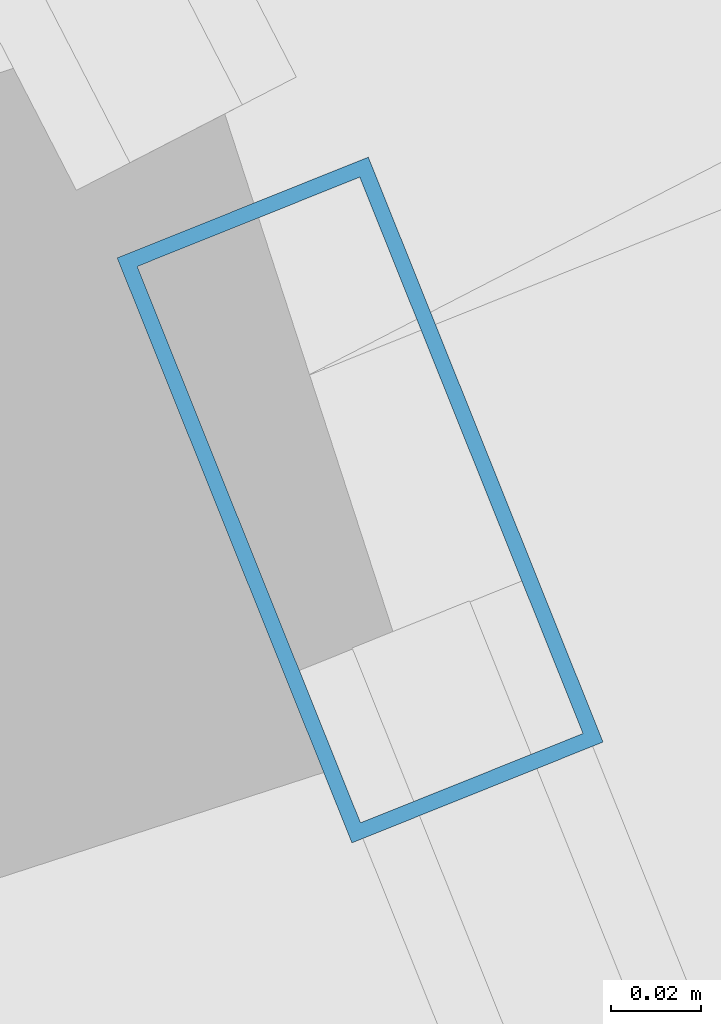
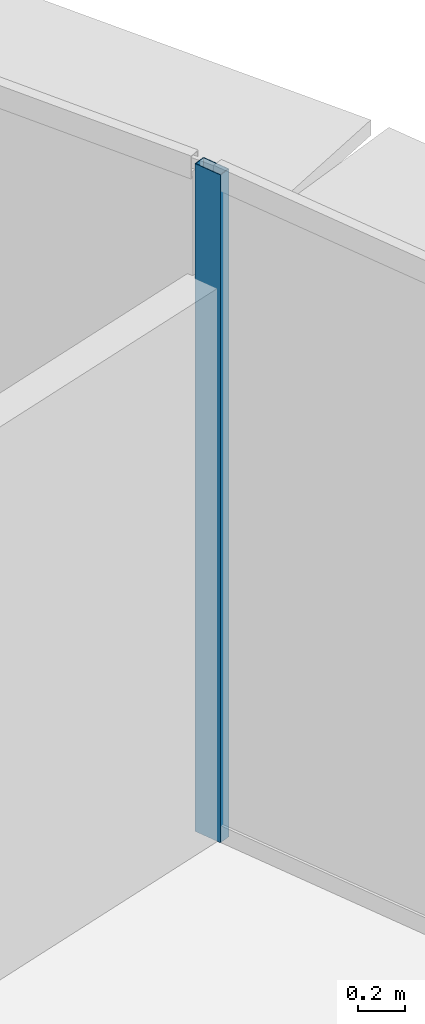
# One storey, part 16 of 30: 1 member, 1 element without a shape of its own.
"""IFC4 building model written with IfcOpenShell, lengths in metres."""

import ifcopenshell
import ifcopenshell.guid

model = None  # the IFC model being written
_history = None  # IfcOwnerHistory: only IFC2X3 demands one
_inside = {}  # id of a spatial element -> (the spatial element, [elements in it])
_under = {}  # id of a project, library or spatial element -> (it, [spatial elements below it])
_declared = {}  # id of a project -> (the project, [libraries it declares])
_typed = {}  # id of a type object -> (the type object, [elements of that type])
_made_of = {}  # id of a material, layer set ... -> (it, [elements and type objects made of it])


def new_model(schema):
    """Start an empty IFC model of exactly this schema.

    Asked for "IFC4X3", IfcOpenShell would pick the latest addendum, in which some entities
    have other attributes; the version numbers below select the first issue.
    IFC2X3 requires an IfcOwnerHistory on every rooted entity: one is made here for all.
    """
    global model, _history
    if schema == "IFC4X3":
        model = ifcopenshell.file(schema_version=(4, 3, 0, 0))
    else:
        model = ifcopenshell.file(schema=schema)
    _inside.clear()
    _under.clear()
    _declared.clear()
    _typed.clear()
    _made_of.clear()
    _history = None
    if model.schema == "IFC2X3":
        org = make("IfcOrganization", Name="unknown")
        user = make(
            "IfcPersonAndOrganization",
            ThePerson=make("IfcPerson", FamilyName="unknown"),
            TheOrganization=org,
        )
        app = make(
            "IfcApplication",
            ApplicationDeveloper=org,
            Version="unknown",
            ApplicationFullName="unknown",
            ApplicationIdentifier="unknown",
        )
        _history = make(
            "IfcOwnerHistory",
            OwningUser=user,
            OwningApplication=app,
            ChangeAction="ADDED",
            CreationDate=0,
        )
    return model


def make(cls, **values):
    """One entity of the class cls with the attributes given. An attribute that is None is left unset."""
    return model.create_entity(
        cls, **{name: value for name, value in values.items() if value is not None}
    )


def rooted(cls, **values):
    """An entity with a GlobalId (a new one), such as an element, a storey or a relation."""
    return make(cls, GlobalId=ifcopenshell.guid.new(), OwnerHistory=_history, **values)


def si_unit(unit_type, name, prefix=None):
    """IfcSIUnit, for example si_unit("LENGTHUNIT", "METRE", prefix="MILLI")."""
    return make("IfcSIUnit", UnitType=unit_type, Prefix=prefix, Name=name)


def assignment(units):
    """IfcUnitAssignment: the units of a project."""
    return None if units is None else make("IfcUnitAssignment", Units=units)


def point(xyz):
    """IfcCartesianPoint."""
    return None if xyz is None else make("IfcCartesianPoint", Coordinates=xyz)


def direction(xyz):
    """IfcDirection."""
    return None if xyz is None else make("IfcDirection", DirectionRatios=xyz)


def frame(location, z_axis=None, x_axis=None):
    """IfcAxis2Placement3D, a coordinate frame: its origin and axes. An axis left out is left unset."""
    return make(
        "IfcAxis2Placement3D",
        Location=point(location),
        Axis=direction(z_axis),
        RefDirection=direction(x_axis),
    )


def frame_2d(location, x_axis=None):
    """IfcAxis2Placement2D, a coordinate frame in the plane: its origin and x axis."""
    return make(
        "IfcAxis2Placement2D", Location=point(location), RefDirection=direction(x_axis)
    )


def origin():
    """The frame at (0, 0, 0) with its axes left unset."""
    return frame((0.0, 0.0, 0.0))


def origin_2d():
    """The frame at (0, 0) in the plane with its x axis left unset."""
    return frame_2d((0.0, 0.0))


def place(relative_to, where):
    """IfcLocalPlacement: puts the frame where relative to a parent placement (None: the world)."""
    return make(
        "IfcLocalPlacement", PlacementRelTo=relative_to, RelativePlacement=where
    )


def context(
    kind, dimensions, precision=None, world=None, true_north=None, identifier=None
):
    """IfcGeometricRepresentationContext, for example the 3D "Model" context."""
    return make(
        "IfcGeometricRepresentationContext",
        ContextIdentifier=identifier,
        ContextType=kind,
        CoordinateSpaceDimension=dimensions,
        Precision=precision,
        WorldCoordinateSystem=world,
        TrueNorth=true_north,
    )


def subcontext(parent, identifier, kind, view, scale=None):
    """IfcGeometricRepresentationSubContext, for example "Body" below "Model"."""
    return make(
        "IfcGeometricRepresentationSubContext",
        ContextIdentifier=identifier,
        ContextType=kind,
        ParentContext=parent,
        TargetScale=scale,
        TargetView=view,
    )


def project(units=None, contexts=None):
    """IfcProject with its units and contexts."""
    return rooted(
        "IfcProject",
        Name="project",
        RepresentationContexts=contexts,
        UnitsInContext=assignment(units),
    )


def spatial(cls, under=None, at=None, **own):
    """A site, building, storey or space (cls), placed at a placement, below another one or the project."""
    s = rooted(cls, ObjectPlacement=at, **own)
    if under is not None:
        _under.setdefault(under.id(), (under, []))[1].append(s)
    return s


def profile(cls, at=None, kind="AREA", **sizes):
    """A parametric profile (cls). Its sizes go by their IFC names, for example OverallWidth=200.0."""
    return make(cls, ProfileType=kind, Position=at, **sizes)


def hollow_rectangle(**sizes):
    """IfcRectangleHollowProfileDef."""
    return profile("IfcRectangleHollowProfileDef", **sizes)


def extrude(swept, where, along, depth):
    """IfcExtrudedAreaSolid: the profile swept, set in the frame where, extruded along a direction by depth."""
    return make(
        "IfcExtrudedAreaSolid",
        SweptArea=swept,
        Position=where,
        ExtrudedDirection=direction(along),
        Depth=depth,
    )


def shape(context_of_items, identifier, shape_type, items):
    """IfcShapeRepresentation: the items that make up one representation, for example the "Body"."""
    return make(
        "IfcShapeRepresentation",
        ContextOfItems=context_of_items,
        RepresentationIdentifier=identifier,
        RepresentationType=shape_type,
        Items=items,
    )


def source(mapping_origin, context_of_items, identifier, shape_type, items):
    """IfcRepresentationMap: a shape defined once, which mapped items show again and again."""
    return make(
        "IfcRepresentationMap",
        MappingOrigin=mapping_origin,
        MappedRepresentation=shape(context_of_items, identifier, shape_type, items),
    )


def transform(
    local_origin,
    x_axis=None,
    y_axis=None,
    z_axis=None,
    scale=None,
    scale2=None,
    scale3=None,
    uniform=True,
):
    """IfcCartesianTransformationOperator3D, or its non-uniform kind. x_axis, y_axis, z_axis: its Axis1, 2, 3."""
    if uniform:
        return make(
            "IfcCartesianTransformationOperator3D",
            Axis1=direction(x_axis),
            Axis2=direction(y_axis),
            LocalOrigin=point(local_origin),
            Scale=scale,
            Axis3=direction(z_axis),
        )
    return make(
        "IfcCartesianTransformationOperator3DnonUniform",
        Axis1=direction(x_axis),
        Axis2=direction(y_axis),
        LocalOrigin=point(local_origin),
        Scale=scale,
        Axis3=direction(z_axis),
        Scale2=scale2,
        Scale3=scale3,
    )


def mapped(mapping_source, mapping_target):
    """IfcMappedItem: shows the shape of a source again, moved by a transform."""
    return make(
        "IfcMappedItem", MappingSource=mapping_source, MappingTarget=mapping_target
    )


def material(Name=None, Category=None):
    """IfcMaterial."""
    return make("IfcMaterial", Name=Name, Category=Category)


def layer(
    of_material, thickness, ventilated=None, Name=None, Category=None, Priority=None
):
    """IfcMaterialLayer: one layer of a wall or slab, of a material (None: an air gap)."""
    return make(
        "IfcMaterialLayer",
        Material=of_material,
        LayerThickness=thickness,
        IsVentilated=ventilated,
        Name=Name,
        Category=Category,
        Priority=Priority,
    )


def layer_set(layers, Name=None):
    """IfcMaterialLayerSet."""
    return make("IfcMaterialLayerSet", MaterialLayers=layers, LayerSetName=Name)


def material_profile(
    of_material, cross_section, Name=None, Category=None, Priority=None
):
    """IfcMaterialProfile: a cross section and its material."""
    return make(
        "IfcMaterialProfile",
        Name=Name,
        Material=of_material,
        Profile=cross_section,
        Priority=Priority,
        Category=Category,
    )


def profile_set(profiles, Name=None, composite=None):
    """IfcMaterialProfileSet."""
    return make(
        "IfcMaterialProfileSet",
        Name=Name,
        MaterialProfiles=profiles,
        CompositeProfile=composite,
    )


def made_of(thing, what):
    """Note that an element or type object is made of a material, layer set ...; save() writes the relation."""
    if what is not None:
        _made_of.setdefault(what.id(), (what, []))[1].append(thing)
    return thing


def type_object(cls, material=None, **own):
    """A type object (cls), such as IfcWallType, which elements share."""
    return made_of(rooted(cls, **own), material)


def element(
    cls,
    number,
    at=None,
    inside=None,
    cuts=None,
    type_object=None,
    material=None,
    context=None,
    identifier="Body",
    shape_type=None,
    held_by="IfcProductDefinitionShape",
    body=None,
    shapes=None,
    **own,
):
    """One element of the class cls, such as IfcWall. Its Tag is "e" and its number.

    at: its placement. inside: the storey or other place that contains it. cuts: it is an
    opening in that element (IfcRelVoidsElement). A single representation is given by context,
    identifier, shape_type and body (its items); several are given by shapes. held_by: the class
    of the entity that holds the representations. save() writes the other relations.
    """
    e = rooted(cls, Tag="e%d" % number, ObjectPlacement=at, **own)
    if body is not None:
        shapes = [shape(context, identifier, shape_type, body)]
    if shapes is not None:
        e.Representation = make(held_by, Representations=shapes)
    if inside is not None:
        _inside.setdefault(inside.id(), (inside, []))[1].append(e)
    if cuts is not None:
        rooted(
            "IfcRelVoidsElement", RelatingBuildingElement=cuts, RelatedOpeningElement=e
        )
    if type_object is not None:
        _typed.setdefault(type_object.id(), (type_object, []))[1].append(e)
    return made_of(e, material)


def aggregate(whole, parts):
    """IfcRelAggregates: a whole, such as a stair, and the parts it consists of."""
    return rooted("IfcRelAggregates", RelatingObject=whole, RelatedObjects=parts)


def save(model, path):
    """Write the relations noted so far, then the file.

    IfcRelAggregates (storeys below a building ...), IfcRelContainedInSpatialStructure (elements
    in a storey), IfcRelDefinesByType, IfcRelAssociatesMaterial and IfcRelDeclares: one each for
    every whole, place, type object, material and project.
    """
    for whole, parts in _under.values():
        aggregate(whole, parts)
    for where, things in _inside.values():
        rooted(
            "IfcRelContainedInSpatialStructure",
            RelatedElements=things,
            RelatingStructure=where,
        )
    for kind, things in _typed.values():
        rooted("IfcRelDefinesByType", RelatedObjects=things, RelatingType=kind)
    for what, things in _made_of.values():
        rooted("IfcRelAssociatesMaterial", RelatedObjects=things, RelatingMaterial=what)
    for by, libraries in _declared.values():
        rooted("IfcRelDeclares", RelatingContext=by, RelatedDefinitions=libraries)
    model.write(path)


model = new_model("IFC4")

# Units and contexts
model_context = context("Model", 3, precision=1e-05, world=origin(), true_north=direction((0.0, 1.0)))
body_context = subcontext(model_context, "Body", "Model", "MODEL_VIEW")
ifc_project = project(units=[si_unit("LENGTHUNIT", "METRE"), si_unit("AREAUNIT", "SQUARE_METRE"), si_unit("VOLUMEUNIT", "CUBIC_METRE"), si_unit("PLANEANGLEUNIT", "RADIAN"), si_unit("MASSUNIT", "GRAM", prefix="KILO"), si_unit("THERMODYNAMICTEMPERATUREUNIT", "KELVIN"), si_unit("POWERUNIT", "WATT")], contexts=[model_context])

# Site, building, storey
site_placement = place(None, origin())
site = spatial("IfcSite", under=ifc_project, at=site_placement, CompositionType="ELEMENT")
building_placement = place(site_placement, origin())
building = spatial("IfcBuilding", under=site, at=building_placement, Name="Yunzhuo Pagoda Commons", CompositionType="ELEMENT")
storey_placement = place(building_placement, frame((0.0, 0.0, 355.510009765625)))
storey = spatial("IfcBuildingStorey", under=building, at=storey_placement, Name="L89", CompositionType="ELEMENT", Elevation=355.510009765625)

# Curtain wall, member
ifc_material = material(Name="Anodized aluminium 6063-T6", Category="aluminium")
ifc_layer = layer(ifc_material, 0.139892578125)
ifc_layer_set = layer_set([ifc_layer], Name="Anodized aluminium 6063-T6")
curtain_wall_type = type_object("IfcCurtainWallType", Name="CW-HI High-Zone Ribbon Curtain Wall", PredefinedType="NOTDEFINED", material=ifc_layer_set)
curtain_wall_placement = place(storey_placement, origin())
curtain_wall = element("IfcCurtainWall", 1, at=curtain_wall_placement, inside=storey, type_object=curtain_wall_type, Name="L89 curtain wall CW-L89-F2B2", PredefinedType="NOTDEFINED")
ifc_material_profile = material_profile(ifc_material, hollow_rectangle(XDim=0.06005859375, YDim=0.139892578125, WallThickness=0.00341796875, at=origin_2d()), Name="Anodized aluminium 6063-T6")
ifc_profile_set = profile_set([ifc_material_profile], Name="Anodized aluminium 6063-T6")
member_type = type_object("IfcMemberType", Name="CW-HI-M Mullion RHS 140x60x3.5", PredefinedType="MULLION", material=ifc_profile_set)
shared_shape = source(origin(), body_context, "Body", "SweptSolid", [
    extrude(hollow_rectangle(XDim=0.06005859375, YDim=0.139892578125, WallThickness=0.00341796875, at=origin_2d()), origin(), (0.0, 0.0, 1.0), 3.489990234375),
])
member_placement = place(storey_placement, frame((70.364990234375, 40.935302734375, 0.0), z_axis=(0.0, 0.0, 1.0), x_axis=(-0.92803921175, -0.372482511608, 0.0)))
member = element("IfcMember", 2, at=member_placement, type_object=member_type, Name="CW mullion 2", PredefinedType="MULLION", context=body_context, shape_type="MappedRepresentation", body=[
    mapped(shared_shape, transform((0.0, 0.0, 0.0), scale=1.0)),
])
aggregate(curtain_wall, [member])

save(model, "model.ifc")
